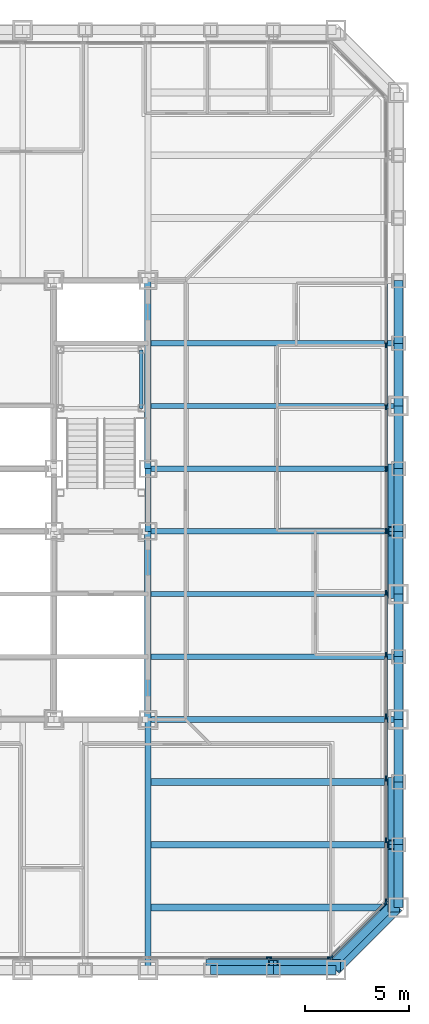
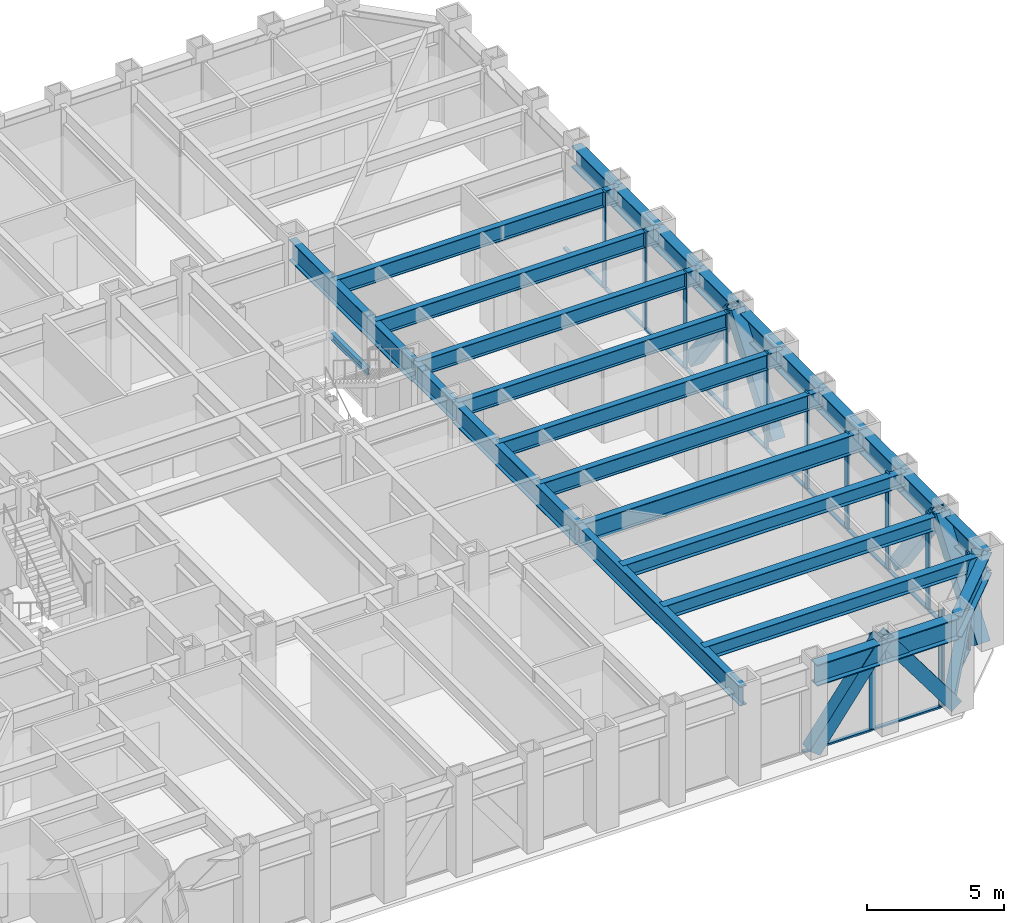
# One storey, part 4 of 17: 34 members, 28 beams, 3 elements without a shape of their own.
"""IFC4 building model written with IfcOpenShell, lengths in metres."""

from ifc_helpers import new_model, si_unit, direction, frame, origin, origin_2d, place, context, subcontext, project, spatial, rectangle, hollow_rectangle, i_section, extrude, material, layer, layer_set, material_profile, profile_set, type_object, element, aggregate, save


model = new_model("IFC4")

# Units and contexts
model_context = context("Model", 3, precision=1e-05, world=origin(), true_north=direction((0.0, 1.0)))
body_context = subcontext(model_context, "Body", "Model", "MODEL_VIEW")
ifc_project = project(units=[si_unit("LENGTHUNIT", "METRE"), si_unit("AREAUNIT", "SQUARE_METRE"), si_unit("VOLUMEUNIT", "CUBIC_METRE"), si_unit("PLANEANGLEUNIT", "RADIAN"), si_unit("MASSUNIT", "GRAM", prefix="KILO")], contexts=[model_context])

# Site, building, storey
site_placement = place(None, origin())
site = spatial("IfcSite", under=ifc_project, at=site_placement, CompositionType="ELEMENT")
building_placement = place(site_placement, origin())
building = spatial("IfcBuilding", under=site, at=building_placement, Name="Chuquiago Exchange Tower", CompositionType="ELEMENT")
storey_placement = place(building_placement, frame((0.0, 0.0, 64.800048828125)))
storey = spatial("IfcBuildingStorey", under=building, at=storey_placement, Name="L13", CompositionType="ELEMENT", Elevation=64.800048828125)

# Beams
ifc_material_1 = material(Name="Steel ASTM A992", Category="steel")
ifc_material_profile_1 = material_profile(ifc_material_1, i_section(OverallWidth=0.307373046875, OverallDepth=0.927001953125, WebThickness=0.01953125, FlangeThickness=0.031982421875, at=origin_2d()), Name="W36X194")
ifc_profile_set_1 = profile_set([ifc_material_profile_1], Name="Steel ASTM A992")
beam_type_1 = type_object("IfcBeamType", Name="B10 W36X194", PredefinedType="BEAM", material=ifc_profile_set_1)
for number, where, z_axis, x_axis, name in (
    (1, (33.0, 12.0, 3.576416015625), (0.0, 1.0, 0.0), (-1.0, 0.0, 0.0), "CB-L14-33_12-33_21"),
    (2, (33.0, 24.0, 3.576416015625), (0.0, 1.0, 0.0), (-1.0, 0.0, 0.0), "CB-L14-33_24-33_33"),
):
    element("IfcBeam", number, at=place(storey_placement, frame(where, z_axis=z_axis, x_axis=x_axis)), inside=storey, type_object=beam_type_1, Name=name, PredefinedType="BEAM", context=body_context, shape_type="SweptSolid", body=[
        extrude(i_section(OverallWidth=0.307373046875, OverallDepth=0.927001953125, WebThickness=0.01953125, FlangeThickness=0.031982421875, at=origin_2d()), origin(), (0.0, 0.0, 1.0), 9.0),
    ])
ifc_material_2 = material(Name="Steel ASTM A992", Category="steel")
ifc_material_profile_2 = material_profile(ifc_material_2, i_section(OverallWidth=0.2919921875, OverallDepth=0.8583984375, WebThickness=0.01708984375, FlangeThickness=0.031005859375, at=origin_2d()), Name="W33X169")
ifc_profile_set_2 = profile_set([ifc_material_profile_2], Name="Steel ASTM A992")
beam_type_2 = type_object("IfcBeamType", Name="B3 W33X169", PredefinedType="BEAM", material=ifc_profile_set_2)
beam_1_placement = place(storey_placement, frame((33.0, 21.0, 3.610595703125), z_axis=(0.0, 1.0, 0.0), x_axis=(-1.0, 0.0, 0.0)))
element("IfcBeam", 3, at=beam_1_placement, inside=storey, type_object=beam_type_2, Name="CB-L14-33_21-33_24", PredefinedType="BEAM", context=body_context, shape_type="SweptSolid", body=[
    extrude(i_section(OverallWidth=0.2919921875, OverallDepth=0.8583984375, WebThickness=0.01708984375, FlangeThickness=0.031005859375, at=origin_2d()), origin(), (0.0, 0.0, 1.0), 3.0),
])
ifc_material_3 = material(Name="Steel ASTM A992", Category="steel")
ifc_material_profile_3 = material_profile(ifc_material_3, i_section(OverallWidth=0.256591796875, OverallDepth=0.693359375, WebThickness=0.014404296875, FlangeThickness=0.023681640625, at=origin_2d()), Name="W27X114")
ifc_profile_set_3 = profile_set([ifc_material_profile_3], Name="Steel ASTM A992")
beam_type_3 = type_object("IfcBeamType", Name="B4 W27X114", PredefinedType="BEAM", material=ifc_profile_set_3)
for number, where, z_axis, x_axis, name in (
    (4, (33.0, 15.0, 3.693359375), (1.0, 0.0, 0.0), (0.0, 1.0, 0.0), "FB-L14-infill-33_15-45_15-0"),
    (5, (33.0, 18.0, 3.693359375), (1.0, 0.0, 0.0), (0.0, 1.0, 0.0), "FB-L14-infill-33_18-45_18-0"),
    (6, (33.0, 21.0, 3.693359375), (1.0, 0.0, 0.0), (0.0, 1.0, 0.0), "FB-L14-infill-33_21-45_21-0"),
    (7, (33.0, 24.0, 3.693359375), (1.0, 0.0, 0.0), (0.0, 1.0, 0.0), "FB-L14-infill-33_24-45_24-0"),
    (8, (33.0, 27.0, 3.693359375), (1.0, 0.0, 0.0), (0.0, 1.0, 0.0), "FB-L14-infill-33_27-45_27-0"),
    (9, (33.0, 30.0, 3.693359375), (1.0, 0.0, 0.0), (0.0, 1.0, 0.0), "FB-L14-infill-33_30-45_30-0"),
):
    element("IfcBeam", number, at=place(storey_placement, frame(where, z_axis=z_axis, x_axis=x_axis)), inside=storey, type_object=beam_type_3, Name=name, PredefinedType="BEAM", context=body_context, shape_type="SweptSolid", body=[
        extrude(i_section(OverallWidth=0.256591796875, OverallDepth=0.693359375, WebThickness=0.014404296875, FlangeThickness=0.023681640625, at=origin_2d()), origin(), (0.0, 0.0, 1.0), 12.0),
    ])
ifc_material_4 = material(Name="Steel ASTM A992", Category="steel")
ifc_material_profile_4 = material_profile(ifc_material_4, i_section(OverallWidth=0.3251953125, OverallDepth=0.6171875, WebThickness=0.013916015625, FlangeThickness=0.021484375, at=origin_2d()), Name="W24X117")
ifc_profile_set_4 = profile_set([ifc_material_profile_4], Name="Steel ASTM A992")
beam_type_4 = type_object("IfcBeamType", Name="B5 W24X117", PredefinedType="BEAM", material=ifc_profile_set_4)
for number, where, z_axis, x_axis, name in (
    (10, (33.0, 3.0, 3.7314453125), (1.0, 0.0, 0.0), (0.0, 1.0, 0.0), "FB-L14-corner-33_3-45_3-0"),
    (11, (33.0, 6.0, 3.7314453125), (1.0, 0.0, 0.0), (0.0, 1.0, 0.0), "FB-L14-corner-33_6-45_6-0"),
    (12, (33.0, 9.0, 3.7314453125), (1.0, 0.0, 0.0), (0.0, 1.0, 0.0), "FB-L14-corner-33_9-45_9-0"),
):
    element("IfcBeam", number, at=place(storey_placement, frame(where, z_axis=z_axis, x_axis=x_axis)), inside=storey, type_object=beam_type_4, Name=name, PredefinedType="BEAM", context=body_context, shape_type="SweptSolid", body=[
        extrude(i_section(OverallWidth=0.3251953125, OverallDepth=0.6171875, WebThickness=0.013916015625, FlangeThickness=0.021484375, at=origin_2d()), origin(), (0.0, 0.0, 1.0), 12.0),
    ])

# Curtain wall, members
ifc_material_5 = material(Name="Aluminium curtain wall system", Category="aluminium")
ifc_layer_1 = layer(ifc_material_5, 0.25)
ifc_layer_set_1 = layer_set([ifc_layer_1], Name="CW1 trading floor curtain wall")
curtain_wall_type_1 = type_object("IfcCurtainWallType", Name="CW1 trading floor curtain wall", PredefinedType="NOTDEFINED", material=ifc_layer_set_1)
curtain_wall_1_placement = place(storey_placement, origin())
curtain_wall_1 = element("IfcCurtainWall", 13, at=curtain_wall_1_placement, inside=storey, type_object=curtain_wall_type_1, Name="CW1 curtain wall L13", PredefinedType="NOTDEFINED")
ifc_material_6 = material(Name="Aluminium mullion, pale anodised", Category="aluminium")
ifc_material_profile_5 = material_profile(ifc_material_6, rectangle(XDim=0.074951171875, YDim=0.25, at=origin_2d()), Name="AL 75x250")
ifc_profile_set_5 = profile_set([ifc_material_profile_5], Name="Aluminium mullion, pale anodised")
member_type_1 = type_object("IfcMemberType", Name="CW1-M mullion 75x250", PredefinedType="MULLION", material=ifc_profile_set_5)
member_1_placement = place(storey_placement, frame((38.789794921875, 0.60009765625, -0.300048828125), z_axis=(0.0, 0.0, 1.0), x_axis=(0.0, 1.0, 0.0)))
member_1 = element("IfcMember", 14, at=member_1_placement, type_object=member_type_1, Name="CW1 mullion 13", PredefinedType="MULLION", context=body_context, shape_type="SweptSolid", body=[
    extrude(rectangle(XDim=0.074951171875, YDim=0.25, at=origin_2d()), origin(), (0.0, 0.0, 1.0), 4.340087890625),
])
member_2_placement = place(storey_placement, frame((41.714111328125, 0.60009765625, -0.300048828125), z_axis=(0.0, 0.0, 1.0), x_axis=(0.0, 1.0, 0.0)))
member_2 = element("IfcMember", 15, at=member_2_placement, type_object=member_type_1, Name="CW1 mullion 14", PredefinedType="MULLION", context=body_context, shape_type="SweptSolid", body=[
    extrude(rectangle(XDim=0.074951171875, YDim=0.25, at=origin_2d()), origin(), (0.0, 0.0, 1.0), 4.340087890625),
])

curtain_wall_2_placement = place(storey_placement, origin())
curtain_wall_2 = element("IfcCurtainWall", 16, at=curtain_wall_2_placement, inside=storey, type_object=curtain_wall_type_1, Name="CW1 curtain wall L13", PredefinedType="NOTDEFINED")
member_3_placement = place(storey_placement, frame((44.39990234375, 3.285888671875, -0.300048828125), z_axis=(0.0, 0.0, 1.0), x_axis=(-1.0, 0.0, 0.0)))
member_3 = element("IfcMember", 17, at=member_3_placement, type_object=member_type_1, Name="CW1 mullion 1", PredefinedType="MULLION", context=body_context, shape_type="SweptSolid", body=[
    extrude(rectangle(XDim=0.074951171875, YDim=0.25, at=origin_2d()), origin(), (0.0, 0.0, 1.0), 4.340087890625),
])
member_4_placement = place(storey_placement, frame((44.39990234375, 6.210205078125, -0.300048828125), z_axis=(0.0, 0.0, 1.0), x_axis=(-1.0, 0.0, 0.0)))
member_4 = element("IfcMember", 18, at=member_4_placement, type_object=member_type_1, Name="CW1 mullion 2", PredefinedType="MULLION", context=body_context, shape_type="SweptSolid", body=[
    extrude(rectangle(XDim=0.074951171875, YDim=0.25, at=origin_2d()), origin(), (0.0, 0.0, 1.0), 4.340087890625),
])
member_5_placement = place(storey_placement, frame((44.39990234375, 9.172119140625, -0.300048828125), z_axis=(0.0, 0.0, 1.0), x_axis=(-1.0, 0.0, 0.0)))
member_5 = element("IfcMember", 19, at=member_5_placement, type_object=member_type_1, Name="CW1 mullion 3", PredefinedType="MULLION", context=body_context, shape_type="SweptSolid", body=[
    extrude(rectangle(XDim=0.074951171875, YDim=0.25, at=origin_2d()), origin(), (0.0, 0.0, 1.0), 4.340087890625),
])
member_6_placement = place(storey_placement, frame((44.39990234375, 12.1337890625, -0.300048828125), z_axis=(0.0, 0.0, 1.0), x_axis=(-1.0, 0.0, 0.0)))
member_6 = element("IfcMember", 20, at=member_6_placement, type_object=member_type_1, Name="CW1 mullion 4", PredefinedType="MULLION", context=body_context, shape_type="SweptSolid", body=[
    extrude(rectangle(XDim=0.074951171875, YDim=0.25, at=origin_2d()), origin(), (0.0, 0.0, 1.0), 4.340087890625),
])
member_7_placement = place(storey_placement, frame((44.39990234375, 15.095458984375, -0.300048828125), z_axis=(0.0, 0.0, 1.0), x_axis=(-1.0, 0.0, 0.0)))
member_7 = element("IfcMember", 21, at=member_7_placement, type_object=member_type_1, Name="CW1 mullion 5", PredefinedType="MULLION", context=body_context, shape_type="SweptSolid", body=[
    extrude(rectangle(XDim=0.074951171875, YDim=0.25, at=origin_2d()), origin(), (0.0, 0.0, 1.0), 4.340087890625),
])
member_8_placement = place(storey_placement, frame((44.39990234375, 18.057373046875, -0.300048828125), z_axis=(0.0, 0.0, 1.0), x_axis=(-1.0, 0.0, 0.0)))
member_8 = element("IfcMember", 22, at=member_8_placement, type_object=member_type_1, Name="CW1 mullion 6", PredefinedType="MULLION", context=body_context, shape_type="SweptSolid", body=[
    extrude(rectangle(XDim=0.074951171875, YDim=0.25, at=origin_2d()), origin(), (0.0, 0.0, 1.0), 4.340087890625),
])
member_9_placement = place(storey_placement, frame((44.39990234375, 21.01904296875, -0.300048828125), z_axis=(0.0, 0.0, 1.0), x_axis=(-1.0, 0.0, 0.0)))
member_9 = element("IfcMember", 23, at=member_9_placement, type_object=member_type_1, Name="CW1 mullion 7", PredefinedType="MULLION", context=body_context, shape_type="SweptSolid", body=[
    extrude(rectangle(XDim=0.074951171875, YDim=0.25, at=origin_2d()), origin(), (0.0, 0.0, 1.0), 4.340087890625),
])
member_10_placement = place(storey_placement, frame((44.39990234375, 23.98095703125, -0.300048828125), z_axis=(0.0, 0.0, 1.0), x_axis=(-1.0, 0.0, 0.0)))
member_10 = element("IfcMember", 24, at=member_10_placement, type_object=member_type_1, Name="CW1 mullion 8", PredefinedType="MULLION", context=body_context, shape_type="SweptSolid", body=[
    extrude(rectangle(XDim=0.074951171875, YDim=0.25, at=origin_2d()), origin(), (0.0, 0.0, 1.0), 4.340087890625),
])
member_11_placement = place(storey_placement, frame((44.39990234375, 26.942626953125, -0.300048828125), z_axis=(0.0, 0.0, 1.0), x_axis=(-1.0, 0.0, 0.0)))
member_11 = element("IfcMember", 25, at=member_11_placement, type_object=member_type_1, Name="CW1 mullion 9", PredefinedType="MULLION", context=body_context, shape_type="SweptSolid", body=[
    extrude(rectangle(XDim=0.074951171875, YDim=0.25, at=origin_2d()), origin(), (0.0, 0.0, 1.0), 4.340087890625),
])
member_12_placement = place(storey_placement, frame((44.39990234375, 29.904541015625, -0.300048828125), z_axis=(0.0, 0.0, 1.0), x_axis=(-1.0, 0.0, 0.0)))
member_12 = element("IfcMember", 26, at=member_12_placement, type_object=member_type_1, Name="CW1 mullion 10", PredefinedType="MULLION", context=body_context, shape_type="SweptSolid", body=[
    extrude(rectangle(XDim=0.074951171875, YDim=0.25, at=origin_2d()), origin(), (0.0, 0.0, 1.0), 4.340087890625),
])

# Member
ifc_material_7 = material(Name="Aluminium transom, pale anodised", Category="aluminium")
ifc_material_profile_6 = material_profile(ifc_material_7, rectangle(XDim=0.14990234375, YDim=0.074951171875, at=origin_2d()), Name="AL 150x75")
ifc_profile_set_6 = profile_set([ifc_material_profile_6], Name="Aluminium transom, pale anodised")
member_type_2 = type_object("IfcMemberType", Name="CW1-T transom 75x150", PredefinedType="MULLION", material=ifc_profile_set_6)
member_13_placement = place(storey_placement, frame((35.865478515625, 0.60009765625, -0.262451171875), z_axis=(1.0, 0.0, 0.0), x_axis=(0.0, 1.0, 0.0)))
member_13 = element("IfcMember", 27, at=member_13_placement, type_object=member_type_2, Name="CW1 transom 12.1", PredefinedType="MULLION", context=body_context, shape_type="SweptSolid", body=[
    extrude(rectangle(XDim=0.14990234375, YDim=0.074951171875, at=origin_2d()), origin(), (0.0, 0.0, 1.0), 2.88671875),
])

member_14_placement = place(storey_placement, frame((38.8271484375, 0.60009765625, -0.262451171875), z_axis=(1.0, 0.0, 0.0), x_axis=(0.0, 1.0, 0.0)))
member_14 = element("IfcMember", 28, at=member_14_placement, type_object=member_type_2, Name="CW1 transom 13.1", PredefinedType="MULLION", context=body_context, shape_type="SweptSolid", body=[
    extrude(rectangle(XDim=0.14990234375, YDim=0.074951171875, at=origin_2d()), origin(), (0.0, 0.0, 1.0), 2.849365234375),
])

aggregate(curtain_wall_1, [member_1, member_2, member_13, member_14])

member_15_placement = place(storey_placement, frame((44.39990234375, 3.323486328125, -0.262451171875), z_axis=(0.0, 1.0, 0.0), x_axis=(-1.0, 0.0, 0.0)))
member_15 = element("IfcMember", 29, at=member_15_placement, type_object=member_type_2, Name="CW1 transom 1.1", PredefinedType="MULLION", context=body_context, shape_type="SweptSolid", body=[
    extrude(rectangle(XDim=0.14990234375, YDim=0.074951171875, at=origin_2d()), origin(), (0.0, 0.0, 1.0), 2.849365234375),
])

member_16_placement = place(storey_placement, frame((44.39990234375, 6.247802734375, -0.262451171875), z_axis=(0.0, 1.0, 0.0), x_axis=(-1.0, 0.0, 0.0)))
member_16 = element("IfcMember", 30, at=member_16_placement, type_object=member_type_2, Name="CW1 transom 2.1", PredefinedType="MULLION", context=body_context, shape_type="SweptSolid", body=[
    extrude(rectangle(XDim=0.14990234375, YDim=0.074951171875, at=origin_2d()), origin(), (0.0, 0.0, 1.0), 2.88671875),
])

member_17_placement = place(storey_placement, frame((44.39990234375, 9.20947265625, -0.262451171875), z_axis=(0.0, 1.0, 0.0), x_axis=(-1.0, 0.0, 0.0)))
member_17 = element("IfcMember", 31, at=member_17_placement, type_object=member_type_2, Name="CW1 transom 3.1", PredefinedType="MULLION", context=body_context, shape_type="SweptSolid", body=[
    extrude(rectangle(XDim=0.14990234375, YDim=0.074951171875, at=origin_2d()), origin(), (0.0, 0.0, 1.0), 2.88671875),
])

member_18_placement = place(storey_placement, frame((44.39990234375, 12.17138671875, -0.262451171875), z_axis=(0.0, 1.0, 0.0), x_axis=(-1.0, 0.0, 0.0)))
member_18 = element("IfcMember", 32, at=member_18_placement, type_object=member_type_2, Name="CW1 transom 4.1", PredefinedType="MULLION", context=body_context, shape_type="SweptSolid", body=[
    extrude(rectangle(XDim=0.14990234375, YDim=0.074951171875, at=origin_2d()), origin(), (0.0, 0.0, 1.0), 2.88671875),
])

member_19_placement = place(storey_placement, frame((44.39990234375, 15.133056640625, -0.262451171875), z_axis=(0.0, 1.0, 0.0), x_axis=(-1.0, 0.0, 0.0)))
member_19 = element("IfcMember", 33, at=member_19_placement, type_object=member_type_2, Name="CW1 transom 5.1", PredefinedType="MULLION", context=body_context, shape_type="SweptSolid", body=[
    extrude(rectangle(XDim=0.14990234375, YDim=0.074951171875, at=origin_2d()), origin(), (0.0, 0.0, 1.0), 2.88671875),
])

member_20_placement = place(storey_placement, frame((44.39990234375, 18.0947265625, -0.262451171875), z_axis=(0.0, 1.0, 0.0), x_axis=(-1.0, 0.0, 0.0)))
member_20 = element("IfcMember", 34, at=member_20_placement, type_object=member_type_2, Name="CW1 transom 6.1", PredefinedType="MULLION", context=body_context, shape_type="SweptSolid", body=[
    extrude(rectangle(XDim=0.14990234375, YDim=0.074951171875, at=origin_2d()), origin(), (0.0, 0.0, 1.0), 2.886962890625),
])

member_21_placement = place(storey_placement, frame((44.39990234375, 21.056640625, -0.262451171875), z_axis=(0.0, 1.0, 0.0), x_axis=(-1.0, 0.0, 0.0)))
member_21 = element("IfcMember", 35, at=member_21_placement, type_object=member_type_2, Name="CW1 transom 7.1", PredefinedType="MULLION", context=body_context, shape_type="SweptSolid", body=[
    extrude(rectangle(XDim=0.14990234375, YDim=0.074951171875, at=origin_2d()), origin(), (0.0, 0.0, 1.0), 2.88671875),
])

member_22_placement = place(storey_placement, frame((44.39990234375, 24.018310546875, -0.262451171875), z_axis=(0.0, 1.0, 0.0), x_axis=(-1.0, 0.0, 0.0)))
member_22 = element("IfcMember", 36, at=member_22_placement, type_object=member_type_2, Name="CW1 transom 8.1", PredefinedType="MULLION", context=body_context, shape_type="SweptSolid", body=[
    extrude(rectangle(XDim=0.14990234375, YDim=0.074951171875, at=origin_2d()), origin(), (0.0, 0.0, 1.0), 2.886962890625),
])

member_23_placement = place(storey_placement, frame((44.39990234375, 26.980224609375, -0.262451171875), z_axis=(0.0, 1.0, 0.0), x_axis=(-1.0, 0.0, 0.0)))
member_23 = element("IfcMember", 37, at=member_23_placement, type_object=member_type_2, Name="CW1 transom 9.1", PredefinedType="MULLION", context=body_context, shape_type="SweptSolid", body=[
    extrude(rectangle(XDim=0.14990234375, YDim=0.074951171875, at=origin_2d()), origin(), (0.0, 0.0, 1.0), 2.88671875),
])

member_24_placement = place(storey_placement, frame((44.39990234375, 29.94189453125, -0.262451171875), z_axis=(0.0, 1.0, 0.0), x_axis=(-1.0, 0.0, 0.0)))
member_24 = element("IfcMember", 38, at=member_24_placement, type_object=member_type_2, Name="CW1 transom 10.1", PredefinedType="MULLION", context=body_context, shape_type="SweptSolid", body=[
    extrude(rectangle(XDim=0.14990234375, YDim=0.074951171875, at=origin_2d()), origin(), (0.0, 0.0, 1.0), 2.88671875),
])

aggregate(curtain_wall_2, [member_3, member_4, member_5, member_6, member_7, member_8, member_9, member_10, member_11, member_12, member_15, member_16, member_17, member_18, member_19, member_20, member_21, member_22, member_23, member_24])

# Curtain wall, members
ifc_material_8 = material(Name="Aluminium curtain wall system", Category="aluminium")
ifc_layer_2 = layer(ifc_material_8, 0.199951171875)
ifc_layer_set_2 = layer_set([ifc_layer_2], Name="CW3 facet curtain wall")
curtain_wall_type_2 = type_object("IfcCurtainWallType", Name="CW3 facet curtain wall", PredefinedType="NOTDEFINED", material=ifc_layer_set_2)
curtain_wall_3_placement = place(storey_placement, origin())
curtain_wall_3 = element("IfcCurtainWall", 39, at=curtain_wall_3_placement, inside=storey, type_object=curtain_wall_type_2, Name="CW3 curtain wall L13", PredefinedType="NOTDEFINED")
ifc_material_9 = material(Name="Aluminium mullion, pale anodised", Category="aluminium")
ifc_material_profile_7 = material_profile(ifc_material_9, rectangle(XDim=0.06494140625, YDim=0.199951171875, at=origin_2d()), Name="AL 65x200")
ifc_profile_set_7 = profile_set([ifc_material_profile_7], Name="Aluminium mullion, pale anodised")
member_type_3 = type_object("IfcMemberType", Name="CW3-M mullion 65x200", PredefinedType="MULLION", material=ifc_profile_set_7)
member_25_placement = place(storey_placement, frame((41.7744140625, 0.623046875, -0.300048828125), z_axis=(0.0, 0.0, 1.0), x_axis=(-0.707106781187, 0.707106781187, 0.0)))
member_25 = element("IfcMember", 40, at=member_25_placement, type_object=member_type_3, Name="CW3 mullion 1", PredefinedType="MULLION", context=body_context, shape_type="SweptSolid", body=[
    extrude(rectangle(XDim=0.06494140625, YDim=0.199951171875, at=origin_2d()), origin(), (0.0, 0.0, 1.0), 4.340087890625),
])
member_26_placement = place(storey_placement, frame((44.376953125, 3.2255859375, -0.300048828125), z_axis=(0.0, 0.0, 1.0), x_axis=(-0.707106781187, 0.707106781187, 0.0)))
member_26 = element("IfcMember", 41, at=member_26_placement, type_object=member_type_3, Name="CW3 mullion 2", PredefinedType="MULLION", context=body_context, shape_type="SweptSolid", body=[
    extrude(rectangle(XDim=0.06494140625, YDim=0.199951171875, at=origin_2d()), origin(), (0.0, 0.0, 1.0), 4.340087890625),
])
ifc_material_10 = material(Name="Aluminium transom, pale anodised", Category="aluminium")
ifc_material_profile_8 = material_profile(ifc_material_10, rectangle(XDim=0.139892578125, YDim=0.06494140625, at=origin_2d()), Name="AL 140x65")
ifc_profile_set_8 = profile_set([ifc_material_profile_8], Name="Aluminium transom, pale anodised")
member_type_4 = type_object("IfcMemberType", Name="CW3-T transom 65x140", PredefinedType="MULLION", material=ifc_profile_set_8)
member_27_placement = place(storey_placement, frame((41.79736328125, 0.64599609375, -0.267578125), z_axis=(0.707106781187, 0.707106781187, 0.0), x_axis=(-0.707106781187, 0.707106781187, 0.0)))
member_27 = element("IfcMember", 42, at=member_27_placement, type_object=member_type_4, Name="CW3 transom 1.1", PredefinedType="MULLION", context=body_context, shape_type="SweptSolid", body=[
    extrude(rectangle(XDim=0.139892578125, YDim=0.06494140625, at=origin_2d()), origin(), (0.0, 0.0, 1.0), 3.61572265625),
])
aggregate(curtain_wall_3, [member_25, member_26, member_27])

# Beams
ifc_material_11 = material(Name="Steel ASTM A992", Category="steel")
ifc_material_profile_9 = material_profile(ifc_material_11, i_section(OverallWidth=0.2919921875, OverallDepth=0.8583984375, WebThickness=0.01708984375, FlangeThickness=0.031005859375, at=origin_2d()), Name="W33X169")
ifc_profile_set_9 = profile_set([ifc_material_profile_9], Name="Steel ASTM A992")
beam_type_5 = type_object("IfcBeamType", Name="G2 W33X169", PredefinedType="BEAM", material=ifc_profile_set_9)
for number, where, z_axis, x_axis, name in (
    (43, (33.0, 12.0, 3.610595703125), (0.0, -1.0, 0.0), (1.0, 0.0, 0.0), "FB-L14-girder-33_12-33_-0-0"),
    (44, (33.0, 12.0, 3.610595703125), (1.0, 0.0, 0.0), (0.0, 1.0, 0.0), "FB-L14-girder-33_12-45_12-0"),
):
    element("IfcBeam", number, at=place(storey_placement, frame(where, z_axis=z_axis, x_axis=x_axis)), inside=storey, type_object=beam_type_5, Name=name, PredefinedType="BEAM", context=body_context, shape_type="SweptSolid", body=[
        extrude(i_section(OverallWidth=0.2919921875, OverallDepth=0.8583984375, WebThickness=0.01708984375, FlangeThickness=0.031005859375, at=origin_2d()), origin(), (0.0, 0.0, 1.0), 12.0),
    ])

# Member
ifc_material_12 = material(Name="Steel ASTM A500 Grade C", Category="steel")
ifc_material_profile_10 = material_profile(ifc_material_12, hollow_rectangle(XDim=0.406494140625, YDim=0.406494140625, WallThickness=0.0146484375, at=origin_2d()), Name="HSS16X16X5/8")
ifc_profile_set_10 = profile_set([ifc_material_profile_10], Name="Steel ASTM A500 Grade C")
member_type_5 = type_object("IfcMemberType", Name="LB4 HSS16X16X5/8", PredefinedType="BRACE", material=ifc_profile_set_10)
member_28_placement = place(storey_placement, frame((41.78662109375, 0.21337890625, 0.0), z_axis=(0.512077265487, 0.512077265487, 0.689604051861), x_axis=(-0.707106781187, 0.707106781187, 0.0)))
element("IfcMember", 45, at=member_28_placement, inside=storey, type_object=member_type_5, Name="LB-L13-42_0-45_3", PredefinedType="BRACE", context=body_context, shape_type="SweptSolid", body=[
    extrude(hollow_rectangle(XDim=0.406494140625, YDim=0.406494140625, WallThickness=0.0146484375, at=origin_2d()), origin(), (0.0, 0.0, 1.0), 5.8583984375),
])

# Beam
ifc_material_13 = material(Name="Steel ASTM A992", Category="steel")
ifc_material_profile_11 = material_profile(ifc_material_13, i_section(OverallWidth=0.164794921875, OverallDepth=0.309814453125, WebThickness=0.005859375, FlangeThickness=0.009765625, at=origin_2d()), Name="W12X26")
ifc_profile_set_11 = profile_set([ifc_material_profile_11], Name="Steel ASTM A992")
beam_type_6 = type_object("IfcBeamType", Name="LS1 W12X26", PredefinedType="BEAM", material=ifc_profile_set_11)
beam_2_placement = place(storey_placement, frame((32.68994140625, 26.889892578125, 1.89501953125), z_axis=(0.0, 1.0, 0.0), x_axis=(-1.0, 0.0, 0.0)))
element("IfcBeam", 46, at=beam_2_placement, inside=storey, type_object=beam_type_6, Name="Stair ST2 L13 landing 1 stringer", PredefinedType="BEAM", context=body_context, shape_type="SweptSolid", body=[
    extrude(i_section(OverallWidth=0.164794921875, OverallDepth=0.309814453125, WebThickness=0.005859375, FlangeThickness=0.009765625, at=origin_2d()), origin(), (0.0, 0.0, 1.0), 2.800048828125),
])

# Members
ifc_material_14 = material(Name="Steel ASTM A572 Grade 50", Category="steel")
ifc_material_profile_12 = material_profile(ifc_material_14, hollow_rectangle(XDim=0.550048828125, YDim=0.550048828125, WallThickness=0.044921875, at=origin_2d()), Name="BOX550X550X45")
ifc_profile_set_12 = profile_set([ifc_material_profile_12], Name="Steel ASTM A572 Grade 50")
member_type_6 = type_object("IfcMemberType", Name="MB1 BOX550X550X45", PredefinedType="BRACE", material=ifc_profile_set_12)
for number, where, z_axis, x_axis, name in (
    (47, (36.0, 0.22998046875, 0.0), (0.596173923302, 0.0, 0.802855312728), (0.0, 1.0, 0.0), "Mega diagonal L13 S face"),
    (48, (42.0, 0.22998046875, 0.0), (-0.596173923302, 0.0, 0.802855312728), (0.0, -1.0, 0.0), "Mega diagonal L13 S face"),
    (49, (44.77001953125, 3.0, 0.0), (0.0, 0.596173923302, 0.802855312728), (-1.0, 0.0, 0.0), "Mega diagonal L13 E face"),
    (50, (44.77001953125, 9.0, 0.0), (0.0, -0.596173923302, 0.802855312728), (1.0, 0.0, 0.0), "Mega diagonal L13 E face"),
    (51, (44.77001953125, 18.0, 0.0), (0.0, 0.596173923302, 0.802855312728), (-1.0, 0.0, 0.0), "Mega diagonal L13 E face"),
    (52, (44.77001953125, 24.0, 0.0), (0.0, -0.596173923302, 0.802855312728), (1.0, 0.0, 0.0), "Mega diagonal L13 E face"),
):
    element("IfcMember", number, at=place(storey_placement, frame(where, z_axis=z_axis, x_axis=x_axis)), inside=storey, type_object=member_type_6, Name=name, PredefinedType="BRACE", context=body_context, shape_type="SweptSolid", body=[
        extrude(hollow_rectangle(XDim=0.550048828125, YDim=0.550048828125, WallThickness=0.044921875, at=origin_2d()), origin(), (0.0, 0.0, 1.0), 5.031982421875),
    ])

# Beams
ifc_material_15 = material(Name="Steel ASTM A992", Category="steel")
ifc_material_profile_13 = material_profile(ifc_material_15, i_section(OverallWidth=0.424072265625, OverallDepth=0.947509765625, WebThickness=0.02392578125, FlangeThickness=0.042724609375, at=origin_2d()), Name="W36X302")
ifc_profile_set_13 = profile_set([ifc_material_profile_13], Name="Steel ASTM A992")
beam_type_7 = type_object("IfcBeamType", Name="SP1 W36X302", PredefinedType="SPANDREL", material=ifc_profile_set_13)
for number, where, z_axis, x_axis, name in (
    (53, (36.0, 0.0, 3.566162109375), (1.0, 0.0, 0.0), (0.0, 1.0, 0.0), "SPB-L14-36_0-39_0"),
    (54, (39.0, 0.0, 3.566162109375), (1.0, 0.0, 0.0), (0.0, 1.0, 0.0), "SPB-L14-39_0-42_0"),
):
    element("IfcBeam", number, at=place(storey_placement, frame(where, z_axis=z_axis, x_axis=x_axis)), inside=storey, type_object=beam_type_7, Name=name, PredefinedType="SPANDREL", context=body_context, shape_type="SweptSolid", body=[
        extrude(i_section(OverallWidth=0.424072265625, OverallDepth=0.947509765625, WebThickness=0.02392578125, FlangeThickness=0.042724609375, at=origin_2d()), origin(), (0.0, 0.0, 1.0), 3.0),
    ])
beam_3_placement = place(storey_placement, frame((42.0, 0.0, 3.566162109375), z_axis=(0.707106781187, 0.707106781187, 0.0), x_axis=(-0.707106781187, 0.707106781187, 0.0)))
element("IfcBeam", 55, at=beam_3_placement, inside=storey, type_object=beam_type_7, Name="SPB-L14-42_0-45_3", PredefinedType="SPANDREL", context=body_context, shape_type="SweptSolid", body=[
    extrude(i_section(OverallWidth=0.424072265625, OverallDepth=0.947509765625, WebThickness=0.02392578125, FlangeThickness=0.042724609375, at=origin_2d()), origin(), (0.0, 0.0, 1.0), 4.24267578125),
])
for number, where, z_axis, x_axis, name in (
    (56, (45.0, 3.0, 3.566162109375), (0.0, 1.0, 0.0), (-1.0, 0.0, 0.0), "SPB-L14-45_3-45_6"),
    (57, (45.0, 6.0, 3.566162109375), (0.0, 1.0, 0.0), (-1.0, 0.0, 0.0), "SPB-L14-45_6-45_9"),
    (58, (45.0, 9.0, 3.566162109375), (0.0, 1.0, 0.0), (-1.0, 0.0, 0.0), "SPB-L14-45_9-45_12"),
    (59, (45.0, 12.0, 3.566162109375), (0.0, 1.0, 0.0), (-1.0, 0.0, 0.0), "SPB-L14-45_12-45_15"),
    (60, (45.0, 15.0, 3.566162109375), (0.0, 1.0, 0.0), (-1.0, 0.0, 0.0), "SPB-L14-45_15-45_18"),
    (61, (45.0, 18.0, 3.566162109375), (0.0, 1.0, 0.0), (-1.0, 0.0, 0.0), "SPB-L14-45_18-45_21"),
    (62, (45.0, 21.0, 3.566162109375), (0.0, 1.0, 0.0), (-1.0, 0.0, 0.0), "SPB-L14-45_21-45_24"),
    (63, (45.0, 24.0, 3.566162109375), (0.0, 1.0, 0.0), (-1.0, 0.0, 0.0), "SPB-L14-45_24-45_27"),
    (64, (45.0, 27.0, 3.566162109375), (0.0, 1.0, 0.0), (-1.0, 0.0, 0.0), "SPB-L14-45_27-45_30"),
    (65, (45.0, 30.0, 3.566162109375), (0.0, 1.0, 0.0), (-1.0, 0.0, 0.0), "SPB-L14-45_30-45_33"),
):
    element("IfcBeam", number, at=place(storey_placement, frame(where, z_axis=z_axis, x_axis=x_axis)), inside=storey, type_object=beam_type_7, Name=name, PredefinedType="SPANDREL", context=body_context, shape_type="SweptSolid", body=[
        extrude(i_section(OverallWidth=0.424072265625, OverallDepth=0.947509765625, WebThickness=0.02392578125, FlangeThickness=0.042724609375, at=origin_2d()), origin(), (0.0, 0.0, 1.0), 3.0),
    ])

save(model, "model.ifc")
